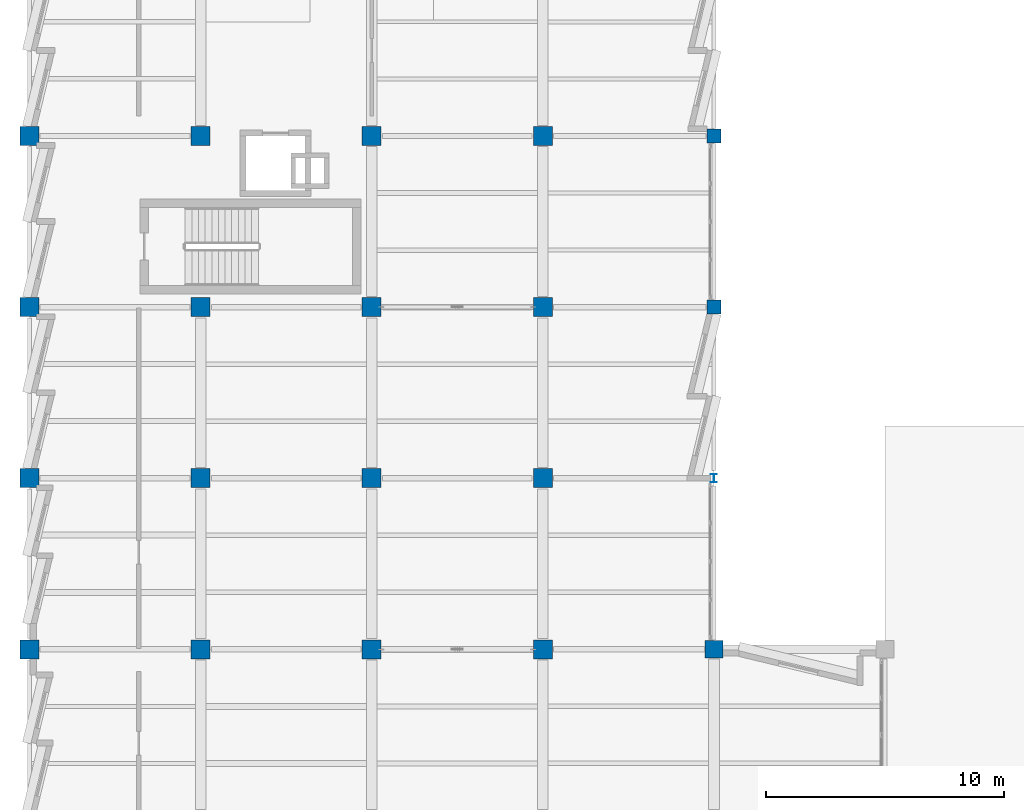
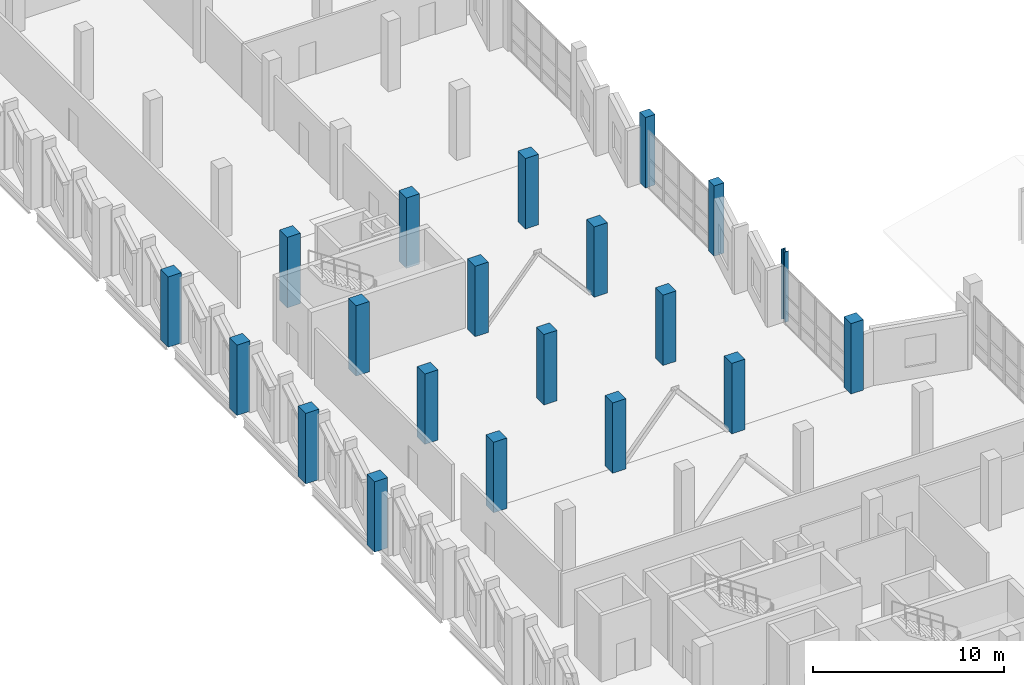
# One storey, part 3 of 123: 20 columns.
"""IFC4 building model written with IfcOpenShell, lengths in metres."""

import ifcopenshell
import ifcopenshell.guid

model = None  # the IFC model being written
_history = None  # IfcOwnerHistory: only IFC2X3 demands one
_inside = {}  # id of a spatial element -> (the spatial element, [elements in it])
_under = {}  # id of a project, library or spatial element -> (it, [spatial elements below it])
_declared = {}  # id of a project -> (the project, [libraries it declares])
_typed = {}  # id of a type object -> (the type object, [elements of that type])
_made_of = {}  # id of a material, layer set ... -> (it, [elements and type objects made of it])


def new_model(schema):
    """Start an empty IFC model of exactly this schema.

    Asked for "IFC4X3", IfcOpenShell would pick the latest addendum, in which some entities
    have other attributes; the version numbers below select the first issue.
    IFC2X3 requires an IfcOwnerHistory on every rooted entity: one is made here for all.
    """
    global model, _history
    if schema == "IFC4X3":
        model = ifcopenshell.file(schema_version=(4, 3, 0, 0))
    else:
        model = ifcopenshell.file(schema=schema)
    _inside.clear()
    _under.clear()
    _declared.clear()
    _typed.clear()
    _made_of.clear()
    _history = None
    if model.schema == "IFC2X3":
        org = make("IfcOrganization", Name="unknown")
        user = make(
            "IfcPersonAndOrganization",
            ThePerson=make("IfcPerson", FamilyName="unknown"),
            TheOrganization=org,
        )
        app = make(
            "IfcApplication",
            ApplicationDeveloper=org,
            Version="unknown",
            ApplicationFullName="unknown",
            ApplicationIdentifier="unknown",
        )
        _history = make(
            "IfcOwnerHistory",
            OwningUser=user,
            OwningApplication=app,
            ChangeAction="ADDED",
            CreationDate=0,
        )
    return model


def make(cls, **values):
    """One entity of the class cls with the attributes given. An attribute that is None is left unset."""
    return model.create_entity(
        cls, **{name: value for name, value in values.items() if value is not None}
    )


def rooted(cls, **values):
    """An entity with a GlobalId (a new one), such as an element, a storey or a relation."""
    return make(cls, GlobalId=ifcopenshell.guid.new(), OwnerHistory=_history, **values)


def si_unit(unit_type, name, prefix=None):
    """IfcSIUnit, for example si_unit("LENGTHUNIT", "METRE", prefix="MILLI")."""
    return make("IfcSIUnit", UnitType=unit_type, Prefix=prefix, Name=name)


def assignment(units):
    """IfcUnitAssignment: the units of a project."""
    return None if units is None else make("IfcUnitAssignment", Units=units)


def point(xyz):
    """IfcCartesianPoint."""
    return None if xyz is None else make("IfcCartesianPoint", Coordinates=xyz)


def direction(xyz):
    """IfcDirection."""
    return None if xyz is None else make("IfcDirection", DirectionRatios=xyz)


def frame(location, z_axis=None, x_axis=None):
    """IfcAxis2Placement3D, a coordinate frame: its origin and axes. An axis left out is left unset."""
    return make(
        "IfcAxis2Placement3D",
        Location=point(location),
        Axis=direction(z_axis),
        RefDirection=direction(x_axis),
    )


def frame_2d(location, x_axis=None):
    """IfcAxis2Placement2D, a coordinate frame in the plane: its origin and x axis."""
    return make(
        "IfcAxis2Placement2D", Location=point(location), RefDirection=direction(x_axis)
    )


def origin():
    """The frame at (0, 0, 0) with its axes left unset."""
    return frame((0.0, 0.0, 0.0))


def origin_2d():
    """The frame at (0, 0) in the plane with its x axis left unset."""
    return frame_2d((0.0, 0.0))


def place(relative_to, where):
    """IfcLocalPlacement: puts the frame where relative to a parent placement (None: the world)."""
    return make(
        "IfcLocalPlacement", PlacementRelTo=relative_to, RelativePlacement=where
    )


def context(
    kind, dimensions, precision=None, world=None, true_north=None, identifier=None
):
    """IfcGeometricRepresentationContext, for example the 3D "Model" context."""
    return make(
        "IfcGeometricRepresentationContext",
        ContextIdentifier=identifier,
        ContextType=kind,
        CoordinateSpaceDimension=dimensions,
        Precision=precision,
        WorldCoordinateSystem=world,
        TrueNorth=true_north,
    )


def subcontext(parent, identifier, kind, view, scale=None):
    """IfcGeometricRepresentationSubContext, for example "Body" below "Model"."""
    return make(
        "IfcGeometricRepresentationSubContext",
        ContextIdentifier=identifier,
        ContextType=kind,
        ParentContext=parent,
        TargetScale=scale,
        TargetView=view,
    )


def project(units=None, contexts=None):
    """IfcProject with its units and contexts."""
    return rooted(
        "IfcProject",
        Name="project",
        RepresentationContexts=contexts,
        UnitsInContext=assignment(units),
    )


def spatial(cls, under=None, at=None, **own):
    """A site, building, storey or space (cls), placed at a placement, below another one or the project."""
    s = rooted(cls, ObjectPlacement=at, **own)
    if under is not None:
        _under.setdefault(under.id(), (under, []))[1].append(s)
    return s


def profile(cls, at=None, kind="AREA", **sizes):
    """A parametric profile (cls). Its sizes go by their IFC names, for example OverallWidth=200.0."""
    return make(cls, ProfileType=kind, Position=at, **sizes)


def rectangle(**sizes):
    """IfcRectangleProfileDef."""
    return profile("IfcRectangleProfileDef", **sizes)


def i_section(**sizes):
    """IfcIShapeProfileDef."""
    return profile("IfcIShapeProfileDef", **sizes)


def extrude(swept, where, along, depth):
    """IfcExtrudedAreaSolid: the profile swept, set in the frame where, extruded along a direction by depth."""
    return make(
        "IfcExtrudedAreaSolid",
        SweptArea=swept,
        Position=where,
        ExtrudedDirection=direction(along),
        Depth=depth,
    )


def shape(context_of_items, identifier, shape_type, items):
    """IfcShapeRepresentation: the items that make up one representation, for example the "Body"."""
    return make(
        "IfcShapeRepresentation",
        ContextOfItems=context_of_items,
        RepresentationIdentifier=identifier,
        RepresentationType=shape_type,
        Items=items,
    )


def material(Name=None, Category=None):
    """IfcMaterial."""
    return make("IfcMaterial", Name=Name, Category=Category)


def material_profile(
    of_material, cross_section, Name=None, Category=None, Priority=None
):
    """IfcMaterialProfile: a cross section and its material."""
    return make(
        "IfcMaterialProfile",
        Name=Name,
        Material=of_material,
        Profile=cross_section,
        Priority=Priority,
        Category=Category,
    )


def profile_set(profiles, Name=None, composite=None):
    """IfcMaterialProfileSet."""
    return make(
        "IfcMaterialProfileSet",
        Name=Name,
        MaterialProfiles=profiles,
        CompositeProfile=composite,
    )


def made_of(thing, what):
    """Note that an element or type object is made of a material, layer set ...; save() writes the relation."""
    if what is not None:
        _made_of.setdefault(what.id(), (what, []))[1].append(thing)
    return thing


def type_object(cls, material=None, **own):
    """A type object (cls), such as IfcWallType, which elements share."""
    return made_of(rooted(cls, **own), material)


def element(
    cls,
    number,
    at=None,
    inside=None,
    cuts=None,
    type_object=None,
    material=None,
    context=None,
    identifier="Body",
    shape_type=None,
    held_by="IfcProductDefinitionShape",
    body=None,
    shapes=None,
    **own,
):
    """One element of the class cls, such as IfcWall. Its Tag is "e" and its number.

    at: its placement. inside: the storey or other place that contains it. cuts: it is an
    opening in that element (IfcRelVoidsElement). A single representation is given by context,
    identifier, shape_type and body (its items); several are given by shapes. held_by: the class
    of the entity that holds the representations. save() writes the other relations.
    """
    e = rooted(cls, Tag="e%d" % number, ObjectPlacement=at, **own)
    if body is not None:
        shapes = [shape(context, identifier, shape_type, body)]
    if shapes is not None:
        e.Representation = make(held_by, Representations=shapes)
    if inside is not None:
        _inside.setdefault(inside.id(), (inside, []))[1].append(e)
    if cuts is not None:
        rooted(
            "IfcRelVoidsElement", RelatingBuildingElement=cuts, RelatedOpeningElement=e
        )
    if type_object is not None:
        _typed.setdefault(type_object.id(), (type_object, []))[1].append(e)
    return made_of(e, material)


def aggregate(whole, parts):
    """IfcRelAggregates: a whole, such as a stair, and the parts it consists of."""
    return rooted("IfcRelAggregates", RelatingObject=whole, RelatedObjects=parts)


def save(model, path):
    """Write the relations noted so far, then the file.

    IfcRelAggregates (storeys below a building ...), IfcRelContainedInSpatialStructure (elements
    in a storey), IfcRelDefinesByType, IfcRelAssociatesMaterial and IfcRelDeclares: one each for
    every whole, place, type object, material and project.
    """
    for whole, parts in _under.values():
        aggregate(whole, parts)
    for where, things in _inside.values():
        rooted(
            "IfcRelContainedInSpatialStructure",
            RelatedElements=things,
            RelatingStructure=where,
        )
    for kind, things in _typed.values():
        rooted("IfcRelDefinesByType", RelatedObjects=things, RelatingType=kind)
    for what, things in _made_of.values():
        rooted("IfcRelAssociatesMaterial", RelatedObjects=things, RelatingMaterial=what)
    for by, libraries in _declared.values():
        rooted("IfcRelDeclares", RelatingContext=by, RelatedDefinitions=libraries)
    model.write(path)


model = new_model("IFC4")

# Units and contexts
model_context = context("Model", 3, precision=1e-05, world=origin(), true_north=direction((0.0, 1.0)))
body_context = subcontext(model_context, "Body", "Model", "MODEL_VIEW")
ifc_project = project(units=[si_unit("LENGTHUNIT", "METRE"), si_unit("AREAUNIT", "SQUARE_METRE"), si_unit("VOLUMEUNIT", "CUBIC_METRE"), si_unit("PLANEANGLEUNIT", "RADIAN"), si_unit("MASSUNIT", "GRAM", prefix="KILO")], contexts=[model_context])

# Site, building, storey
site_placement = place(None, origin())
site = spatial("IfcSite", under=ifc_project, at=site_placement, CompositionType="ELEMENT")
building_placement = place(site_placement, origin())
building = spatial("IfcBuilding", under=site, at=building_placement, Name="Kalmorath City Hall", CompositionType="ELEMENT")
storey_placement = place(building_placement, frame((0.0, 0.0, 10.199951171875)))
storey = spatial("IfcBuildingStorey", under=building, at=storey_placement, Name="L02", CompositionType="ELEMENT", Elevation=10.199951171875)

# Columns
ifc_material_1 = material(Name="Concrete C50/60", Category="concrete")
ifc_material_profile_1 = material_profile(ifc_material_1, rectangle(XDim=0.60009765625, YDim=0.60009765625, at=origin_2d()), Name="RC-COL-600X600")
ifc_profile_set_1 = profile_set([ifc_material_profile_1], Name="Concrete C50/60")
column_type_1 = type_object("IfcColumnType", Name="Concrete column 600x600", PredefinedType="COLUMN", material=ifc_profile_set_1)
for number, where, z_axis, x_axis, name in (
    (1, (28.800048828125, 50.39990234375, 0.0), (0.0, 0.0, 1.0), (1.0, 0.0, 0.0), "L02 column C6 (5/8)"),
    (2, (28.800048828125, 57.60009765625, 0.0), (0.0, 0.0, 1.0), (1.0, 0.0, 0.0), "L02 column C6 (5/9)"),
):
    element("IfcColumn", number, at=place(storey_placement, frame(where, z_axis=z_axis, x_axis=x_axis)), inside=storey, type_object=column_type_1, Name=name, PredefinedType="COLUMN", context=body_context, shape_type="SweptSolid", body=[
        extrude(rectangle(XDim=0.60009765625, YDim=0.60009765625, at=origin_2d()), origin(), (0.0, 0.0, 1.0), 4.5),
    ])
ifc_material_2 = material(Name="Concrete C50/60", Category="concrete")
ifc_material_profile_2 = material_profile(ifc_material_2, rectangle(XDim=0.75, YDim=0.75, at=origin_2d()), Name="RC-COL-750X750")
ifc_profile_set_2 = profile_set([ifc_material_profile_2], Name="Concrete C50/60")
column_type_2 = type_object("IfcColumnType", Name="Concrete column 750x750", PredefinedType="COLUMN", material=ifc_profile_set_2)
column_1_placement = place(storey_placement, frame((28.800048828125, 36.0, 0.0), z_axis=(0.0, 0.0, 1.0), x_axis=(1.0, 0.0, 0.0)))
element("IfcColumn", 3, at=column_1_placement, inside=storey, type_object=column_type_2, Name="L02 column C3 (5/6)", PredefinedType="COLUMN", context=body_context, shape_type="SweptSolid", body=[
    extrude(rectangle(XDim=0.75, YDim=0.75, at=origin_2d()), origin(), (0.0, 0.0, 1.0), 4.5),
])
ifc_material_3 = material(Name="Concrete C50/60", Category="concrete")
ifc_material_profile_3 = material_profile(ifc_material_3, rectangle(XDim=0.800048828125, YDim=0.800048828125, at=origin_2d()), Name="RC-COL-800X800")
ifc_profile_set_3 = profile_set([ifc_material_profile_3], Name="Concrete C50/60")
column_type_3 = type_object("IfcColumnType", Name="Concrete column 800x800", PredefinedType="COLUMN", material=ifc_profile_set_3)
for number, where, z_axis, x_axis, name in (
    (4, (0.0, 36.0, 0.0), (0.0, 0.0, 1.0), (1.0, 0.0, 0.0), "L02 column C2 (1/6)"),
    (5, (0.0, 43.199951171875, 0.0), (0.0, 0.0, 1.0), (1.0, 0.0, 0.0), "L02 column C2 (1/7)"),
    (6, (0.0, 50.39990234375, 0.0), (0.0, 0.0, 1.0), (1.0, 0.0, 0.0), "L02 column C2 (1/8)"),
    (7, (0.0, 57.60009765625, 0.0), (0.0, 0.0, 1.0), (1.0, 0.0, 0.0), "L02 column C2 (1/9)"),
    (8, (7.199951171875, 36.0, 0.0), (0.0, 0.0, 1.0), (1.0, 0.0, 0.0), "L02 column C2 (2/6)"),
    (9, (7.199951171875, 43.199951171875, 0.0), (0.0, 0.0, 1.0), (1.0, 0.0, 0.0), "L02 column C2 (2/7)"),
    (10, (7.199951171875, 50.39990234375, 0.0), (0.0, 0.0, 1.0), (1.0, 0.0, 0.0), "L02 column C2 (2/8)"),
    (11, (7.199951171875, 57.60009765625, 0.0), (0.0, 0.0, 1.0), (1.0, 0.0, 0.0), "L02 column C2 (2/9)"),
    (12, (14.39990234375, 36.0, 0.0), (0.0, 0.0, 1.0), (1.0, 0.0, 0.0), "L02 column C2 (3/6)"),
    (13, (14.39990234375, 43.199951171875, 0.0), (0.0, 0.0, 1.0), (1.0, 0.0, 0.0), "L02 column C2 (3/7)"),
    (14, (14.39990234375, 50.39990234375, 0.0), (0.0, 0.0, 1.0), (1.0, 0.0, 0.0), "L02 column C2 (3/8)"),
    (15, (14.39990234375, 57.60009765625, 0.0), (0.0, 0.0, 1.0), (1.0, 0.0, 0.0), "L02 column C2 (3/9)"),
    (16, (21.60009765625, 36.0, 0.0), (0.0, 0.0, 1.0), (1.0, 0.0, 0.0), "L02 column C2 (4/6)"),
    (17, (21.60009765625, 43.199951171875, 0.0), (0.0, 0.0, 1.0), (1.0, 0.0, 0.0), "L02 column C2 (4/7)"),
    (18, (21.60009765625, 50.39990234375, 0.0), (0.0, 0.0, 1.0), (1.0, 0.0, 0.0), "L02 column C2 (4/8)"),
    (19, (21.60009765625, 57.60009765625, 0.0), (0.0, 0.0, 1.0), (1.0, 0.0, 0.0), "L02 column C2 (4/9)"),
):
    element("IfcColumn", number, at=place(storey_placement, frame(where, z_axis=z_axis, x_axis=x_axis)), inside=storey, type_object=column_type_3, Name=name, PredefinedType="COLUMN", context=body_context, shape_type="SweptSolid", body=[
        extrude(rectangle(XDim=0.800048828125, YDim=0.800048828125, at=origin_2d()), origin(), (0.0, 0.0, 1.0), 4.5),
    ])
ifc_material_4 = material(Name="Steel ASTM A992 Grade 50", Category="steel")
ifc_material_profile_4 = material_profile(ifc_material_4, i_section(OverallWidth=0.25390625, OverallDepth=0.35302734375, WebThickness=0.009521484375, FlangeThickness=0.016357421875, FilletRadius=0.014892578125, at=origin_2d()), Name="W14X61")
ifc_profile_set_4 = profile_set([ifc_material_profile_4], Name="Steel ASTM A992 Grade 50")
column_type_4 = type_object("IfcColumnType", Name="Steel wide-flange column W14X61", PredefinedType="COLUMN", material=ifc_profile_set_4)
column_2_placement = place(storey_placement, frame((28.800048828125, 43.199951171875, 0.0), z_axis=(0.0, 0.0, 1.0), x_axis=(1.0, 0.0, 0.0)))
element("IfcColumn", 20, at=column_2_placement, inside=storey, type_object=column_type_4, Name="L02 column SC1 (5/7)", PredefinedType="COLUMN", context=body_context, shape_type="SweptSolid", body=[
    extrude(i_section(OverallWidth=0.25390625, OverallDepth=0.35302734375, WebThickness=0.009521484375, FlangeThickness=0.016357421875, FilletRadius=0.014892578125, at=origin_2d()), origin(), (0.0, 0.0, 1.0), 4.5),
])

save(model, "model.ifc")
